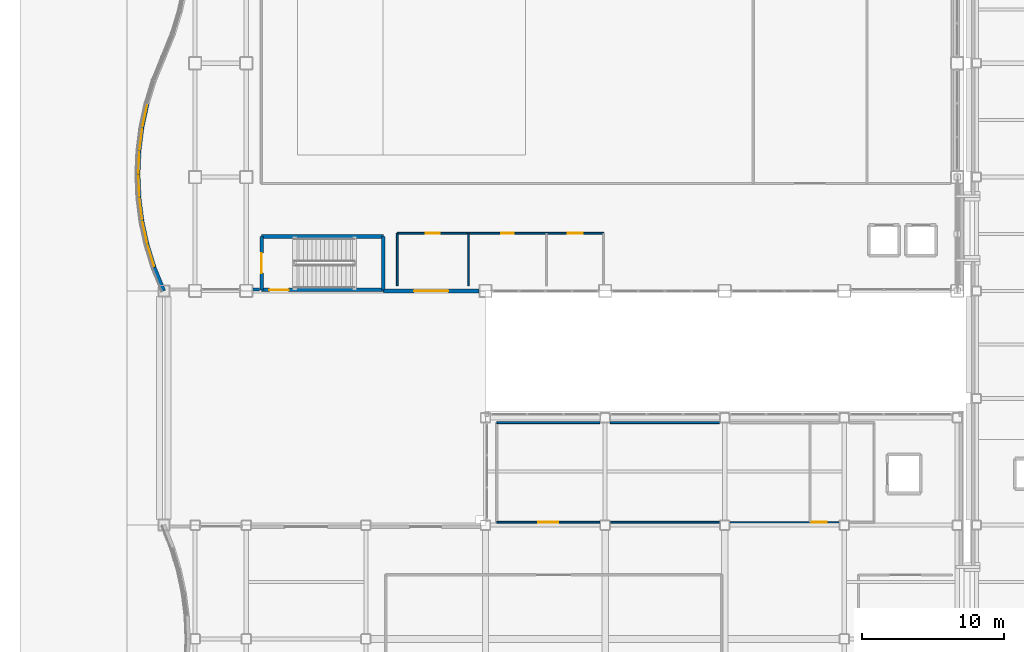
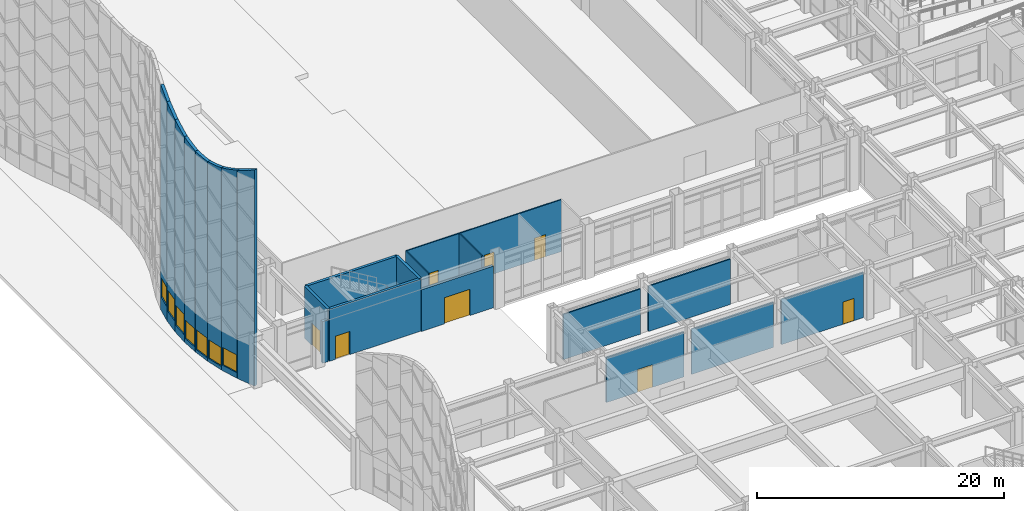
# One storey, part 126 of 165: 22 walls, 8 doors, 7 windows, 15 openings.
"""IFC4 building model written with IfcOpenShell, lengths in metres."""

from ifc_helpers import new_model, si_unit, direction, frame, frame_2d, origin, place, context, subcontext, project, spatial, polyline, rectangle, outline, extrude, material, layer, layer_set, type_object, element, fill, save


model = new_model("IFC4")

# Units and contexts
model_context = context("Model", 3, precision=1e-05, world=origin(), true_north=direction((0.0, 1.0)))
body_context = subcontext(model_context, "Body", "Model", "MODEL_VIEW")
ifc_project = project(units=[si_unit("LENGTHUNIT", "METRE"), si_unit("AREAUNIT", "SQUARE_METRE"), si_unit("VOLUMEUNIT", "CUBIC_METRE"), si_unit("PLANEANGLEUNIT", "RADIAN"), si_unit("MASSUNIT", "GRAM", prefix="KILO")], contexts=[model_context])

# Site, building, storey
site_placement = place(None, origin())
site = spatial("IfcSite", under=ifc_project, at=site_placement, CompositionType="ELEMENT")
building_placement = place(site_placement, origin())
building = spatial("IfcBuilding", under=site, at=building_placement, Name="Kazehara Bluff Congress Hotel", CompositionType="ELEMENT")
storey_placement = place(building_placement, origin())
storey = spatial("IfcBuildingStorey", under=building, at=storey_placement, Name="L00", CompositionType="ELEMENT", Elevation=0.0)

# Wall, opening, door
ifc_material_1 = material(Name="Concrete C40/50", Category="concrete")
ifc_layer_1 = layer(ifc_material_1, 0.25)
ifc_layer_set_1 = layer_set([ifc_layer_1], Name="Concrete C40/50")
wall_type_1 = type_object("IfcWallType", Name="TP-CW-RC", PredefinedType="SHEAR", material=ifc_layer_set_1)
wall_1_placement = place(storey_placement, frame((9.47509765625, 48.52490234375, 0.0), z_axis=(0.0, 0.0, 1.0), x_axis=(0.0, 1.0, 0.0)))
wall_1 = element("IfcWall", 1, at=wall_1_placement, inside=storey, type_object=wall_type_1, Name="L00 ST-03 core wall near", PredefinedType="SHEAR", context=body_context, shape_type="SweptSolid", body=[
    extrude(rectangle(XDim=3.75, YDim=0.25, at=frame_2d((1.875, 0.0))), origin(), (0.0, 0.0, 1.0), 5.14990234375),
])
opening_1_placement = place(wall_1_placement, frame((1.175048828125, 0.0, 0.0)))
opening_1 = element("IfcOpeningElement", 2, at=opening_1_placement, cuts=wall_1, Name="Opening FD-03", PredefinedType="OPENING", context=body_context, shape_type="SweptSolid", body=[
    extrude(rectangle(XDim=1.39990234375, YDim=2.25, at=frame_2d((0.699951171875, 1.125))), frame((0.0, 0.135009765625, 0.0), z_axis=(0.0, -1.0, 0.0), x_axis=(1.0, 0.0, 0.0)), (0.0, 0.0, 1.0), 0.27001953125),
])
ifc_material_2 = material(Name="Fire-rated painted steel leaf", Category="steel")
door_type_1 = type_object("IfcDoorType", Name="TP-FD-03", OperationType="NOTDEFINED", PredefinedType="DOOR", material=ifc_material_2)
door_1_placement = place(opening_1_placement, origin())
door_1 = element("IfcDoor", 3, at=door_1_placement, inside=storey, type_object=door_type_1, Name="L00 ST-03 fire stair door", OperationType="SINGLE_SWING_LEFT", OverallHeight=2.25, OverallWidth=1.39990234375, PredefinedType="DOOR", context=body_context, shape_type="SweptSolid", body=[
    extrude(rectangle(XDim=1.39990234375, YDim=2.25, at=frame_2d((0.699951171875, 1.125))), frame((0.0, 0.02490234375, 0.0), z_axis=(0.0, -1.0, 0.0), x_axis=(1.0, 0.0, 0.0)), (0.0, 0.0, 1.0), 0.050048828125),
])
fill(opening_1, door_1)

# Wall
wall_2_placement = place(storey_placement, frame((18.02490234375, 52.27490234375, 0.0), z_axis=(0.0, 0.0, 1.0), x_axis=(0.0, -1.0, 0.0)))
element("IfcWall", 4, at=wall_2_placement, inside=storey, type_object=wall_type_1, Name="L00 ST-03 core wall far", PredefinedType="SHEAR", context=body_context, shape_type="SweptSolid", body=[
    extrude(rectangle(XDim=3.75, YDim=0.25, at=frame_2d((1.875, 0.0))), origin(), (0.0, 0.0, 1.0), 5.14990234375),
])

# Wall, opening, door
wall_3_placement = place(storey_placement, frame((18.02490234375, 48.52490234375, 0.0), z_axis=(0.0, 0.0, 1.0), x_axis=(-1.0, 0.0, 0.0)))
wall_3 = element("IfcWall", 5, at=wall_3_placement, inside=storey, type_object=wall_type_1, Name="L00 ST-03 core wall left", PredefinedType="SHEAR", context=body_context, shape_type="SweptSolid", body=[
    extrude(rectangle(XDim=8.5498046875, YDim=0.25, at=frame_2d((4.27490234375, 0.0))), origin(), (0.0, 0.0, 1.0), 5.14990234375),
])
opening_2_placement = place(wall_3_placement, frame((6.64990234375, 0.0, 0.0)))
opening_2 = element("IfcOpeningElement", 6, at=opening_2_placement, cuts=wall_3, Name="Opening ED-09", PredefinedType="OPENING", context=body_context, shape_type="SweptSolid", body=[
    extrude(rectangle(XDim=1.35009765625, YDim=2.300048828125, at=frame_2d((0.675048828125, 1.14990234375))), frame((0.0, 0.135009765625, 0.0), z_axis=(0.0, -1.0, 0.0), x_axis=(1.0, 0.0, 0.0)), (0.0, 0.0, 1.0), 0.27001953125),
])
ifc_material_3 = material(Name="Anodised aluminium", Category="aluminium")
door_type_2 = type_object("IfcDoorType", Name="TP-ED-09", OperationType="NOTDEFINED", PredefinedType="DOOR", material=ifc_material_3)
door_2_placement = place(opening_2_placement, origin())
door_2 = element("IfcDoor", 7, at=door_2_placement, inside=storey, type_object=door_type_2, Name="Escape Stair ST-03 final exit discharge door", OperationType="SINGLE_SWING_LEFT", OverallHeight=2.300048828125, OverallWidth=1.35009765625, PredefinedType="DOOR", context=body_context, shape_type="SweptSolid", body=[
    extrude(rectangle(XDim=1.35009765625, YDim=2.300048828125, at=frame_2d((0.675048828125, 1.14990234375))), frame((0.0, 0.02490234375, 0.0), z_axis=(0.0, -1.0, 0.0), x_axis=(1.0, 0.0, 0.0)), (0.0, 0.0, 1.0), 0.050048828125),
])
fill(opening_2, door_2)

# Walls
wall_4_placement = place(storey_placement, frame((9.47509765625, 52.27490234375, 0.0), z_axis=(0.0, 0.0, 1.0), x_axis=(1.0, 0.0, 0.0)))
element("IfcWall", 8, at=wall_4_placement, inside=storey, type_object=wall_type_1, Name="L00 ST-03 core wall right", PredefinedType="SHEAR", context=body_context, shape_type="SweptSolid", body=[
    extrude(rectangle(XDim=8.5498046875, YDim=0.25, at=frame_2d((4.27490234375, 0.0))), origin(), (0.0, 0.0, 1.0), 5.14990234375),
])
ifc_material_4 = material(Name="Precast concrete C40/50", Category="concrete")
ifc_layer_2 = layer(ifc_material_4, 0.239990234375)
ifc_layer_set_2 = layer_set([ifc_layer_2], Name="Precast concrete C40/50")
wall_type_2 = type_object("IfcWallType", Name="TP-EW-240", PredefinedType="SOLIDWALL", material=ifc_layer_set_2)
wall_5_placement = place(storey_placement, frame((9.340087890625, 48.550048828125, 0.0), z_axis=(0.0, 0.0, 1.0), x_axis=(-1.0, 0.0, 0.0)))
element("IfcWall", 9, at=wall_5_placement, inside=storey, type_object=wall_type_2, Name="L00 V1 perimeter spandrel pier 505", PredefinedType="SOLIDWALL", context=body_context, shape_type="SweptSolid", body=[
    extrude(rectangle(XDim=0.489990234375, YDim=0.239990234375, at=frame_2d((0.2451171875, 0.0))), origin(), (0.0, 0.0, 1.0), 4.125),
])

# Wall, opening, door
ifc_material_5 = material(Name="Precast concrete C40/50", Category="concrete")
ifc_layer_3 = layer(ifc_material_5, 0.260009765625)
ifc_layer_set_3 = layer_set([ifc_layer_3], Name="Precast concrete C40/50")
wall_type_3 = type_object("IfcWallType", Name="TP-EW-260", PredefinedType="SOLIDWALL", material=ifc_layer_set_3)
wall_6_placement = place(storey_placement, frame((24.75, 48.449951171875, 0.0), z_axis=(0.0, 0.0, 1.0), x_axis=(-1.0, 0.0, 0.0)))
wall_6 = element("IfcWall", 10, at=wall_6_placement, inside=storey, type_object=wall_type_3, Name="L00 exit host wall EX-V1F", PredefinedType="SOLIDWALL", context=body_context, shape_type="SweptSolid", body=[
    extrude(rectangle(XDim=6.72509765625, YDim=0.260009765625, at=frame_2d((3.362548828125, 0.0))), origin(), (0.0, 0.0, 1.0), 4.125),
])
opening_3_placement = place(wall_6_placement, frame((2.159912109375, 0.0, 0.0)))
opening_3 = element("IfcOpeningElement", 11, at=opening_3_placement, cuts=wall_6, Name="Opening ED-04", PredefinedType="OPENING", context=body_context, shape_type="SweptSolid", body=[
    extrude(rectangle(XDim=2.39990234375, YDim=2.60009765625, at=frame_2d((1.199951171875, 1.300048828125))), frame((0.0, 0.139892578125, 0.0), z_axis=(0.0, -1.0, 0.0), x_axis=(1.0, 0.0, 0.0)), (0.0, 0.0, 1.0), 0.280029296875),
])
ifc_material_6 = material(Name="Anodised aluminium", Category="aluminium")
door_type_3 = type_object("IfcDoorType", Name="TP-ED-04", OperationType="DOUBLE_DOOR_SINGLE_SWING", PredefinedType="DOOR", material=ifc_material_6)
door_3_placement = place(opening_3_placement, origin())
door_3 = element("IfcDoor", 12, at=door_3_placement, inside=storey, type_object=door_type_3, Name="Congress forecourt south exit door", OperationType="DOUBLE_DOOR_SINGLE_SWING", OverallHeight=2.60009765625, OverallWidth=2.39990234375, PredefinedType="DOOR", context=body_context, shape_type="SweptSolid", body=[
    extrude(rectangle(XDim=2.39990234375, YDim=2.60009765625, at=frame_2d((1.199951171875, 1.300048828125))), frame((0.0, 0.02490234375, 0.0), z_axis=(0.0, -1.0, 0.0), x_axis=(1.0, 0.0, 0.0)), (0.0, 0.0, 1.0), 0.050048828125),
])
fill(opening_3, door_3)

# Wall
ifc_material_7 = material(Name="Precast concrete C40/50", Category="concrete")
ifc_layer_4 = layer(ifc_material_7, 0.280029296875)
ifc_layer_set_4 = layer_set([ifc_layer_4], Name="Precast concrete C40/50")
wall_type_4 = type_object("IfcWallType", Name="TP-EW-280", PredefinedType="SOLIDWALL", material=ifc_layer_set_4)
wall_7_placement = place(storey_placement, frame((2.60009765625, 48.449951171875, 0.0), z_axis=(0.0, 0.0, 1.0), x_axis=(-0.378246499761, 0.925704912712, 0.0)))
element("IfcWall", 13, at=wall_7_placement, inside=storey, type_object=wall_type_4, Name="Wave ribbon wall WR-V1 chord 1", PredefinedType="SOLIDWALL", context=body_context, shape_type="SweptSolid", body=[
    extrude(outline(polyline([(0.0, 0.0), (1.771728515625, 0.0), (1.77001953125, 20.60009765625), (1.550048828125, 20.695068359375), (1.330078125, 20.784912109375), (1.10498046875, 20.8798828125), (0.885009765625, 20.97509765625), (0.6650390625, 21.074951171875), (0.43994140625, 21.169921875), (0.219970703125, 21.27001953125), (0.0, 21.364990234375), (0.0, 0.0)])), frame((0.0, 0.14013671875, 0.0), z_axis=(0.0, -1.0, 0.0), x_axis=(1.0, 0.0, 0.0)), (0.0, 0.0, 1.0), 0.280029296875),
])

# Wall, opening, window
wall_8_placement = place(storey_placement, frame((1.929931640625, 50.090087890625, 0.0), z_axis=(0.0, 0.0, 1.0), x_axis=(-0.294245819444, 0.955729772342, 0.0)))
wall_8 = element("IfcWall", 14, at=wall_8_placement, inside=storey, type_object=wall_type_4, Name="Wave ribbon wall WR-V1 chord 2", PredefinedType="SOLIDWALL", context=body_context, shape_type="SweptSolid", body=[
    extrude(outline(polyline([(0.0, 0.0), (1.7158203125, 0.0), (1.715087890625, 20.02001953125), (1.5, 20.074951171875), (1.284912109375, 20.139892578125), (1.070068359375, 20.205078125), (0.860107421875, 20.280029296875), (0.64501953125, 20.35498046875), (0.429931640625, 20.43505859375), (0.215087890625, 20.514892578125), (0.0, 20.60009765625), (0.0, 0.0)])), frame((0.0, 0.14013671875, 0.0), z_axis=(0.0, -1.0, 0.0), x_axis=(1.0, 0.0, 0.0)), (0.0, 0.0, 1.0), 0.280029296875),
])
opening_4_placement = place(wall_8_placement, frame((0.090087890625, 0.0, 0.544921875)))
opening_4 = element("IfcOpeningElement", 15, at=opening_4_placement, cuts=wall_8, Name="Opening WW-02", PredefinedType="OPENING", context=body_context, shape_type="SweptSolid", body=[
    extrude(rectangle(XDim=1.534912109375, YDim=1.75, at=frame_2d((0.767578125, 0.875))), frame((0.0, 0.14990234375, 0.0), z_axis=(0.0, -1.0, 0.0), x_axis=(1.0, 0.0, 0.0)), (0.0, 0.0, 1.0), 0.300048828125),
])
ifc_material_8 = material(Name="Insulated low-E double glazing", Category="glass")
window_type_1 = type_object("IfcWindowType", Name="TP-WW-02", PartitioningType="SINGLE_PANEL", PredefinedType="WINDOW", material=ifc_material_8)
window_1_placement = place(opening_4_placement, origin())
window_1 = element("IfcWindow", 16, at=window_1_placement, inside=storey, type_object=window_type_1, Name="Wave foyer ribbon window WR-V1-02", OverallHeight=1.75, OverallWidth=1.534912109375, PartitioningType="SINGLE_PANEL", PredefinedType="WINDOW", context=body_context, shape_type="SweptSolid", body=[
    extrude(rectangle(XDim=1.534912109375, YDim=1.75, at=frame_2d((0.767578125, 0.875))), frame((0.0, 0.030029296875, 0.0), z_axis=(0.0, -1.0, 0.0), x_axis=(1.0, 0.0, 0.0)), (0.0, 0.0, 1.0), 0.06005859375),
])
fill(opening_4, window_1)

wall_9_placement = place(storey_placement, frame((1.425048828125, 51.72998046875, 0.0), z_axis=(0.0, 0.0, 1.0), x_axis=(-0.212169138818, 0.977232959193, 0.0)))
wall_9 = element("IfcWall", 17, at=wall_9_placement, inside=storey, type_object=wall_type_4, Name="Wave ribbon wall WR-V1 chord 3", PredefinedType="SOLIDWALL", context=body_context, shape_type="SweptSolid", body=[
    extrude(outline(polyline([(0.0, 0.0), (1.673095703125, 0.0), (1.675048828125, 19.760009765625), (1.465087890625, 19.77001953125), (1.2548828125, 19.7900390625), (1.044921875, 19.81494140625), (0.840087890625, 19.844970703125), (0.6298828125, 19.8798828125), (0.419921875, 19.919921875), (0.2099609375, 19.965087890625), (0.0, 20.02001953125), (0.0, 0.0)])), frame((0.0, 0.14013671875, 0.0), z_axis=(0.0, -1.0, 0.0), x_axis=(1.0, 0.0, 0.0)), (0.0, 0.0, 1.0), 0.280029296875),
])
opening_5_placement = place(wall_9_placement, frame((0.090087890625, 0.0, 0.344970703125)))
opening_5 = element("IfcOpeningElement", 18, at=opening_5_placement, cuts=wall_9, Name="Opening WW-03", PredefinedType="OPENING", context=body_context, shape_type="SweptSolid", body=[
    extrude(rectangle(XDim=1.4951171875, YDim=1.85009765625, at=frame_2d((0.74755859375, 0.925048828125))), frame((0.0, 0.14990234375, 0.0), z_axis=(0.0, -1.0, 0.0), x_axis=(1.0, 0.0, 0.0)), (0.0, 0.0, 1.0), 0.300048828125),
])
ifc_material_9 = material(Name="Insulated low-E double glazing", Category="glass")
window_type_2 = type_object("IfcWindowType", Name="TP-WW-03", PartitioningType="SINGLE_PANEL", PredefinedType="WINDOW", material=ifc_material_9)
window_2_placement = place(opening_5_placement, origin())
window_2 = element("IfcWindow", 19, at=window_2_placement, inside=storey, type_object=window_type_2, Name="Wave foyer ribbon window WR-V1-03", OverallHeight=1.85009765625, OverallWidth=1.4951171875, PartitioningType="SINGLE_PANEL", PredefinedType="WINDOW", context=body_context, shape_type="SweptSolid", body=[
    extrude(rectangle(XDim=1.4951171875, YDim=1.85009765625, at=frame_2d((0.74755859375, 0.925048828125))), frame((0.0, 0.030029296875, 0.0), z_axis=(0.0, -1.0, 0.0), x_axis=(1.0, 0.0, 0.0)), (0.0, 0.0, 1.0), 0.06005859375),
])
fill(opening_5, window_2)

wall_10_placement = place(storey_placement, frame((1.070068359375, 53.364990234375, 0.0), z_axis=(0.0, 0.0, 1.0), x_axis=(-0.12408927914, 0.992271057122, 0.0)))
wall_10 = element("IfcWall", 20, at=wall_10_placement, inside=storey, type_object=wall_type_4, Name="Wave ribbon wall WR-V1 chord 4", PredefinedType="SOLIDWALL", context=body_context, shape_type="SweptSolid", body=[
    extrude(outline(polyline([(0.0, 0.0), (1.652587890625, 0.0), (1.655029296875, 19.8701171875), (1.449951171875, 19.8349609375), (1.239990234375, 19.804931640625), (1.034912109375, 19.784912109375), (0.830078125, 19.764892578125), (0.6201171875, 19.7548828125), (0.4150390625, 19.75), (0.205078125, 19.75), (0.0, 19.760009765625), (0.0, 0.0)])), frame((0.0, 0.14013671875, 0.0), z_axis=(0.0, -1.0, 0.0), x_axis=(1.0, 0.0, 0.0)), (0.0, 0.0, 1.0), 0.280029296875),
])
opening_6_placement = place(wall_10_placement, frame((0.090087890625, 0.0, 0.31005859375)))
opening_6 = element("IfcOpeningElement", 21, at=opening_6_placement, cuts=wall_10, Name="Opening WW-04", PredefinedType="OPENING", context=body_context, shape_type="SweptSolid", body=[
    extrude(rectangle(XDim=1.47509765625, YDim=1.949951171875, at=frame_2d((0.737548828125, 0.97509765625))), frame((0.0, 0.14990234375, 0.0), z_axis=(0.0, -1.0, 0.0), x_axis=(1.0, 0.0, 0.0)), (0.0, 0.0, 1.0), 0.300048828125),
])
ifc_material_10 = material(Name="Insulated low-E double glazing", Category="glass")
window_type_3 = type_object("IfcWindowType", Name="TP-WW-04", PartitioningType="SINGLE_PANEL", PredefinedType="WINDOW", material=ifc_material_10)
window_3_placement = place(opening_6_placement, origin())
window_3 = element("IfcWindow", 22, at=window_3_placement, inside=storey, type_object=window_type_3, Name="Wave foyer ribbon window WR-V1-04", OverallHeight=1.949951171875, OverallWidth=1.47509765625, PartitioningType="SINGLE_PANEL", PredefinedType="WINDOW", context=body_context, shape_type="SweptSolid", body=[
    extrude(rectangle(XDim=1.47509765625, YDim=1.949951171875, at=frame_2d((0.737548828125, 0.97509765625))), frame((0.0, 0.030029296875, 0.0), z_axis=(0.0, -1.0, 0.0), x_axis=(1.0, 0.0, 0.0)), (0.0, 0.0, 1.0), 0.06005859375),
])
fill(opening_6, window_3)

wall_11_placement = place(storey_placement, frame((0.864990234375, 55.0048828125, 0.0), z_axis=(0.0, 0.0, 1.0), x_axis=(-0.042682116378, 0.99908870324, 0.0)))
wall_11 = element("IfcWall", 23, at=wall_11_placement, inside=storey, type_object=wall_type_4, Name="Wave ribbon wall WR-V1 chord 5", PredefinedType="SOLIDWALL", context=body_context, shape_type="SweptSolid", body=[
    extrude(outline(polyline([(0.0, 0.0), (1.6416015625, 0.0), (1.639892578125, 20.31494140625), (1.43505859375, 20.2451171875), (1.22998046875, 20.175048828125), (1.02490234375, 20.114990234375), (0.820068359375, 20.054931640625), (0.614990234375, 20.0), (0.409912109375, 19.955078125), (0.205078125, 19.909912109375), (0.0, 19.8701171875), (0.0, 0.0)])), frame((0.0, 0.14013671875, 0.0), z_axis=(0.0, -1.0, 0.0), x_axis=(1.0, 0.0, 0.0)), (0.0, 0.0, 1.0), 0.280029296875),
])
opening_7_placement = place(wall_11_placement, frame((0.090087890625, 0.0, 0.43994140625)))
opening_7 = element("IfcOpeningElement", 24, at=opening_7_placement, cuts=wall_11, Name="Opening WW-05", PredefinedType="OPENING", context=body_context, shape_type="SweptSolid", body=[
    extrude(rectangle(XDim=1.4599609375, YDim=1.800048828125, at=frame_2d((0.72998046875, 0.89990234375))), frame((0.0, 0.14990234375, 0.0), z_axis=(0.0, -1.0, 0.0), x_axis=(1.0, 0.0, 0.0)), (0.0, 0.0, 1.0), 0.300048828125),
])
ifc_material_11 = material(Name="Insulated low-E double glazing", Category="glass")
window_type_4 = type_object("IfcWindowType", Name="TP-WW-05", PartitioningType="DOUBLE_PANEL_VERTICAL", PredefinedType="WINDOW", material=ifc_material_11)
window_4_placement = place(opening_7_placement, origin())
window_4 = element("IfcWindow", 25, at=window_4_placement, inside=storey, type_object=window_type_4, Name="Wave foyer ribbon window WR-V1-05", OverallHeight=1.800048828125, OverallWidth=1.4599609375, PartitioningType="SINGLE_PANEL", PredefinedType="WINDOW", context=body_context, shape_type="SweptSolid", body=[
    extrude(rectangle(XDim=1.4599609375, YDim=1.800048828125, at=frame_2d((0.72998046875, 0.89990234375))), frame((0.0, 0.030029296875, 0.0), z_axis=(0.0, -1.0, 0.0), x_axis=(1.0, 0.0, 0.0)), (0.0, 0.0, 1.0), 0.06005859375),
])
fill(opening_7, window_4)

wall_12_placement = place(storey_placement, frame((0.794921875, 56.64501953125, 0.0), z_axis=(0.0, 0.0, 1.0), x_axis=(0.042815711104, 0.999082986985, 0.0)))
wall_12 = element("IfcWall", 26, at=wall_12_placement, inside=storey, type_object=wall_type_4, Name="Wave ribbon wall WR-V1 chord 6", PredefinedType="SOLIDWALL", context=body_context, shape_type="SweptSolid", body=[
    extrude(outline(polyline([(0.0, 0.0), (1.636474609375, 0.0), (1.635009765625, 20.97509765625), (1.429931640625, 20.885009765625), (1.22509765625, 20.800048828125), (1.02001953125, 20.7099609375), (0.820068359375, 20.625), (0.614990234375, 20.544921875), (0.409912109375, 20.465087890625), (0.205078125, 20.389892578125), (0.0, 20.31494140625), (0.0, 0.0)])), frame((0.0, 0.14013671875, 0.0), z_axis=(0.0, -1.0, 0.0), x_axis=(1.0, 0.0, 0.0)), (0.0, 0.0, 1.0), 0.280029296875),
])
opening_8_placement = place(wall_12_placement, frame((0.090087890625, 0.0, 0.705078125)))
opening_8 = element("IfcOpeningElement", 27, at=opening_8_placement, cuts=wall_12, Name="Opening WW-06", PredefinedType="OPENING", context=body_context, shape_type="SweptSolid", body=[
    extrude(rectangle(XDim=1.455078125, YDim=2.0, at=frame_2d((0.7275390625, 1.0))), frame((0.0, 0.14990234375, 0.0), z_axis=(0.0, -1.0, 0.0), x_axis=(1.0, 0.0, 0.0)), (0.0, 0.0, 1.0), 0.300048828125),
])
ifc_material_12 = material(Name="Insulated low-E double glazing", Category="glass")
window_type_5 = type_object("IfcWindowType", Name="TP-WW-06", PartitioningType="DOUBLE_PANEL_VERTICAL", PredefinedType="WINDOW", material=ifc_material_12)
window_5_placement = place(opening_8_placement, origin())
window_5 = element("IfcWindow", 28, at=window_5_placement, inside=storey, type_object=window_type_5, Name="Wave foyer ribbon window WR-V1-06", OverallHeight=2.0, OverallWidth=1.455078125, PartitioningType="SINGLE_PANEL", PredefinedType="WINDOW", context=body_context, shape_type="SweptSolid", body=[
    extrude(rectangle(XDim=1.455078125, YDim=2.0, at=frame_2d((0.7275390625, 1.0))), frame((0.0, 0.030029296875, 0.0), z_axis=(0.0, -1.0, 0.0), x_axis=(1.0, 0.0, 0.0)), (0.0, 0.0, 1.0), 0.06005859375),
])
fill(opening_8, window_5)

wall_13_placement = place(storey_placement, frame((0.864990234375, 58.280029296875, 0.0), z_axis=(0.0, 0.0, 1.0), x_axis=(0.12408927914, 0.992271057122, 0.0)))
wall_13 = element("IfcWall", 29, at=wall_13_placement, inside=storey, type_object=wall_type_4, Name="Wave ribbon wall WR-V1 chord 7", PredefinedType="SOLIDWALL", context=body_context, shape_type="SweptSolid", body=[
    extrude(outline(polyline([(0.0, 0.0), (1.652587890625, 0.0), (1.655029296875, 21.68994140625), (1.449951171875, 21.60498046875), (1.239990234375, 21.514892578125), (1.034912109375, 21.425048828125), (0.830078125, 21.3349609375), (0.6201171875, 21.2451171875), (0.4150390625, 21.155029296875), (0.205078125, 21.06494140625), (0.0, 20.97509765625), (0.0, 0.0)])), frame((0.0, 0.14013671875, 0.0), z_axis=(0.0, -1.0, 0.0), x_axis=(1.0, 0.0, 0.0)), (0.0, 0.0, 1.0), 0.280029296875),
])
opening_9_placement = place(wall_13_placement, frame((0.090087890625, 0.0, 1.034912109375)))
opening_9 = element("IfcOpeningElement", 30, at=opening_9_placement, cuts=wall_13, Name="Opening WW-07", PredefinedType="OPENING", context=body_context, shape_type="SweptSolid", body=[
    extrude(rectangle(XDim=1.47509765625, YDim=2.10009765625, at=frame_2d((0.737548828125, 1.050048828125))), frame((0.0, 0.14990234375, 0.0), z_axis=(0.0, -1.0, 0.0), x_axis=(1.0, 0.0, 0.0)), (0.0, 0.0, 1.0), 0.300048828125),
])
ifc_material_13 = material(Name="Insulated low-E double glazing", Category="glass")
window_type_6 = type_object("IfcWindowType", Name="TP-WW-07", PartitioningType="DOUBLE_PANEL_VERTICAL", PredefinedType="WINDOW", material=ifc_material_13)
window_6_placement = place(opening_9_placement, origin())
window_6 = element("IfcWindow", 31, at=window_6_placement, inside=storey, type_object=window_type_6, Name="Wave foyer ribbon window WR-V1-07", OverallHeight=2.10009765625, OverallWidth=1.47509765625, PartitioningType="SINGLE_PANEL", PredefinedType="WINDOW", context=body_context, shape_type="SweptSolid", body=[
    extrude(rectangle(XDim=1.47509765625, YDim=2.10009765625, at=frame_2d((0.737548828125, 1.050048828125))), frame((0.0, 0.030029296875, 0.0), z_axis=(0.0, -1.0, 0.0), x_axis=(1.0, 0.0, 0.0)), (0.0, 0.0, 1.0), 0.06005859375),
])
fill(opening_9, window_6)

wall_14_placement = place(storey_placement, frame((1.070068359375, 59.919921875, 0.0), z_axis=(0.0, 0.0, 1.0), x_axis=(0.2115356349, 0.977370285597, 0.0)))
wall_14 = element("IfcWall", 32, at=wall_14_placement, inside=storey, type_object=wall_type_4, Name="Wave ribbon wall WR-V1 chord 8", PredefinedType="SOLIDWALL", context=body_context, shape_type="SweptSolid", body=[
    extrude(outline(polyline([(0.0, 0.0), (1.67822265625, 0.0), (1.679931640625, 22.264892578125), (1.469970703125, 22.205078125), (1.260009765625, 22.14501953125), (1.050048828125, 22.074951171875), (0.840087890625, 22.0048828125), (0.6298828125, 21.929931640625), (0.419921875, 21.85498046875), (0.2099609375, 21.77001953125), (0.0, 21.68994140625), (0.0, 0.0)])), frame((0.0, 0.14013671875, 0.0), z_axis=(0.0, -1.0, 0.0), x_axis=(1.0, 0.0, 0.0)), (0.0, 0.0, 1.0), 0.280029296875),
])
opening_10_placement = place(wall_14_placement, frame((0.090087890625, 0.0, 1.35009765625)))
opening_10 = element("IfcOpeningElement", 33, at=opening_10_placement, cuts=wall_14, Name="Opening WW-08", PredefinedType="OPENING", context=body_context, shape_type="SweptSolid", body=[
    extrude(rectangle(XDim=1.5, YDim=1.89990234375, at=frame_2d((0.75, 0.949951171875))), frame((0.0, 0.14990234375, 0.0), z_axis=(0.0, -1.0, 0.0), x_axis=(1.0, 0.0, 0.0)), (0.0, 0.0, 1.0), 0.300048828125),
])
ifc_material_14 = material(Name="Insulated low-E double glazing", Category="glass")
window_type_7 = type_object("IfcWindowType", Name="TP-WW-08", PartitioningType="SINGLE_PANEL", PredefinedType="WINDOW", material=ifc_material_14)
window_7_placement = place(opening_10_placement, origin())
window_7 = element("IfcWindow", 34, at=window_7_placement, inside=storey, type_object=window_type_7, Name="Wave foyer ribbon window WR-V1-08", OverallHeight=1.89990234375, OverallWidth=1.5, PartitioningType="SINGLE_PANEL", PredefinedType="WINDOW", context=body_context, shape_type="SweptSolid", body=[
    extrude(rectangle(XDim=1.5, YDim=1.89990234375, at=frame_2d((0.75, 0.949951171875))), frame((0.0, 0.030029296875, 0.0), z_axis=(0.0, -1.0, 0.0), x_axis=(1.0, 0.0, 0.0)), (0.0, 0.0, 1.0), 0.06005859375),
])
fill(opening_10, window_7)

# Wall, openings, doors
ifc_material_15 = material(Name="Fire-rated gypsum board stud partition")
ifc_layer_5 = layer(ifc_material_15, 0.110107421875)
ifc_layer_set_5 = layer_set([ifc_layer_5], Name="Fire-rated gypsum board stud partition")
wall_type_5 = type_object("IfcWallType", Name="TP-PT-110", PredefinedType="PARTITIONING", material=ifc_layer_set_5)
wall_15_placement = place(storey_placement, frame((19.0, 52.5, 0.0), z_axis=(0.0, 0.0, 1.0), x_axis=(1.0, 0.0, 0.0)))
wall_15 = element("IfcWall", 35, at=wall_15_placement, inside=storey, type_object=wall_type_5, Name="L00 partition PT-110 81", PredefinedType="PARTITIONING", context=body_context, shape_type="SweptSolid", body=[
    extrude(rectangle(XDim=14.5, YDim=0.110107421875, at=frame_2d((7.25, 0.0))), origin(), (0.0, 0.0, 1.0), 5.135009765625),
])
opening_11_placement = place(wall_15_placement, frame((2.0, 0.0, 0.0)))
opening_11 = element("IfcOpeningElement", 36, at=opening_11_placement, cuts=wall_15, Name="Opening ID-03", PredefinedType="OPENING", context=body_context, shape_type="SweptSolid", body=[
    extrude(rectangle(XDim=1.0, YDim=2.179931640625, at=frame_2d((0.5, 1.08984375))), frame((0.0, 0.06494140625, 0.0), z_axis=(0.0, -1.0, 0.0), x_axis=(1.0, 0.0, 0.0)), (0.0, 0.0, 1.0), 0.130126953125),
])
opening_12_placement = place(wall_15_placement, frame((7.300048828125, 0.0, 0.0)))
opening_12 = element("IfcOpeningElement", 37, at=opening_12_placement, cuts=wall_15, Name="Opening ID-01", PredefinedType="OPENING", context=body_context, shape_type="SweptSolid", body=[
    extrude(rectangle(XDim=0.89990234375, YDim=2.14990234375, at=frame_2d((0.449951171875, 1.074951171875))), frame((0.0, 0.06494140625, 0.0), z_axis=(0.0, -1.0, 0.0), x_axis=(1.0, 0.0, 0.0)), (0.0, 0.0, 1.0), 0.130126953125),
])
opening_13_placement = place(wall_15_placement, frame((11.97509765625, 0.0, 0.0)))
opening_13 = element("IfcOpeningElement", 38, at=opening_13_placement, cuts=wall_15, Name="Opening ID-02", PredefinedType="OPENING", context=body_context, shape_type="SweptSolid", body=[
    extrude(rectangle(XDim=1.050048828125, YDim=2.199951171875, at=frame_2d((0.52490234375, 1.10009765625))), frame((0.0, 0.06494140625, 0.0), z_axis=(0.0, -1.0, 0.0), x_axis=(1.0, 0.0, 0.0)), (0.0, 0.0, 1.0), 0.130126953125),
])
ifc_material_16 = material(Name="Architectural oak veneer leaf")
door_type_4 = type_object("IfcDoorType", Name="TP-ID-01", OperationType="NOTDEFINED", PredefinedType="DOOR", material=ifc_material_16)
door_4_placement = place(opening_12_placement, origin())
door_4 = element("IfcDoor", 39, at=door_4_placement, inside=storey, type_object=door_type_4, Name="L00 Congress Lower Female WC door", OperationType="SINGLE_SWING_RIGHT", OverallHeight=2.14990234375, OverallWidth=0.89990234375, PredefinedType="DOOR", context=body_context, shape_type="SweptSolid", body=[
    extrude(rectangle(XDim=0.89990234375, YDim=2.14990234375, at=frame_2d((0.449951171875, 1.074951171875))), frame((0.0, 0.02490234375, 0.0), z_axis=(0.0, -1.0, 0.0), x_axis=(1.0, 0.0, 0.0)), (0.0, 0.0, 1.0), 0.050048828125),
])
fill(opening_12, door_4)
ifc_material_17 = material(Name="Architectural oak veneer leaf")
door_type_5 = type_object("IfcDoorType", Name="TP-ID-02", OperationType="NOTDEFINED", PredefinedType="DOOR", material=ifc_material_17)
door_5_placement = place(opening_13_placement, origin())
door_5 = element("IfcDoor", 40, at=door_5_placement, inside=storey, type_object=door_type_5, Name="L00 Congress Lower Accessible WC door", OperationType="SINGLE_SWING_LEFT", OverallHeight=2.199951171875, OverallWidth=1.050048828125, PredefinedType="DOOR", context=body_context, shape_type="SweptSolid", body=[
    extrude(rectangle(XDim=1.050048828125, YDim=2.199951171875, at=frame_2d((0.52490234375, 1.10009765625))), frame((0.0, 0.02490234375, 0.0), z_axis=(0.0, -1.0, 0.0), x_axis=(1.0, 0.0, 0.0)), (0.0, 0.0, 1.0), 0.050048828125),
])
fill(opening_13, door_5)
ifc_material_18 = material(Name="Architectural oak veneer leaf")
door_type_6 = type_object("IfcDoorType", Name="TP-ID-03", OperationType="NOTDEFINED", PredefinedType="DOOR", material=ifc_material_18)
door_6_placement = place(opening_11_placement, origin())
door_6 = element("IfcDoor", 41, at=door_6_placement, inside=storey, type_object=door_type_6, Name="L00 Congress Lower Male WC door", OperationType="SINGLE_SWING_LEFT", OverallHeight=2.179931640625, OverallWidth=1.0, PredefinedType="DOOR", context=body_context, shape_type="SweptSolid", body=[
    extrude(rectangle(XDim=1.0, YDim=2.179931640625, at=frame_2d((0.5, 1.08984375))), frame((0.0, 0.02490234375, 0.0), z_axis=(0.0, -1.0, 0.0), x_axis=(1.0, 0.0, 0.0)), (0.0, 0.0, 1.0), 0.050048828125),
])
fill(opening_11, door_6)

# Walls
for number, where, z_axis, x_axis, name in (
    (42, (19.0, 48.800048828125, 0.0), (0.0, 0.0, 1.0), (0.0, 1.0, 0.0), "L00 partition PT-110 95"),
    (43, (24.0, 48.800048828125, 0.0), (0.0, 0.0, 1.0), (0.0, 1.0, 0.0), "L00 partition PT-110 96"),
):
    element("IfcWall", number, at=place(storey_placement, frame(where, z_axis=z_axis, x_axis=x_axis)), inside=storey, type_object=wall_type_5, Name=name, PredefinedType="PARTITIONING", context=body_context, shape_type="SweptSolid", body=[
        extrude(rectangle(XDim=3.699951171875, YDim=0.110107421875, at=frame_2d((1.85009765625, 0.0))), origin(), (0.0, 0.0, 1.0), 5.135009765625),
    ])

# Wall, opening, door
ifc_material_19 = material(Name="Fire-rated gypsum board stud partition")
ifc_layer_6 = layer(ifc_material_19, 0.1298828125)
ifc_layer_set_6 = layer_set([ifc_layer_6], Name="Fire-rated gypsum board stud partition")
wall_type_6 = type_object("IfcWallType", Name="TP-PT-130", PredefinedType="PARTITIONING", material=ifc_layer_set_6)
wall_16_placement = place(storey_placement, frame((26.0, 32.199951171875, 0.0), z_axis=(0.0, 0.0, 1.0), x_axis=(1.0, 0.0, 0.0)))
wall_16 = element("IfcWall", 44, at=wall_16_placement, inside=storey, type_object=wall_type_6, Name="L00 partition PT-130 67", PredefinedType="PARTITIONING", context=body_context, shape_type="SweptSolid", body=[
    extrude(rectangle(XDim=7.22998046875, YDim=0.1298828125, at=frame_2d((3.614990234375, 0.0))), origin(), (0.0, 0.0, 1.0), 4.47509765625),
])
opening_14_placement = place(wall_16_placement, frame((2.9150390625, 0.0, 0.0)))
opening_14 = element("IfcOpeningElement", 45, at=opening_14_placement, cuts=wall_16, Name="Opening FD-03", PredefinedType="OPENING", context=body_context, shape_type="SweptSolid", body=[
    extrude(rectangle(XDim=1.39990234375, YDim=2.25, at=frame_2d((0.699951171875, 1.125))), frame((0.0, 0.074951171875, 0.0), z_axis=(0.0, -1.0, 0.0), x_axis=(1.0, 0.0, 0.0)), (0.0, 0.0, 1.0), 0.14990234375),
])
door_7_placement = place(opening_14_placement, origin())
door_7 = element("IfcDoor", 46, at=door_7_placement, inside=storey, type_object=door_type_1, Name="L00 Ballroom Banquet Service Pantry door", OperationType="SINGLE_SWING_RIGHT", OverallHeight=2.25, OverallWidth=1.39990234375, PredefinedType="DOOR", context=body_context, shape_type="SweptSolid", body=[
    extrude(rectangle(XDim=1.39990234375, YDim=2.25, at=frame_2d((0.699951171875, 1.125))), frame((0.0, 0.02490234375, 0.0), z_axis=(0.0, -1.0, 0.0), x_axis=(1.0, 0.0, 0.0)), (0.0, 0.0, 1.0), 0.050048828125),
])
fill(opening_14, door_7)

# Wall
wall_17_placement = place(storey_placement, frame((33.969970703125, 32.199951171875, 0.0), z_axis=(0.0, 0.0, 1.0), x_axis=(1.0, 0.0, 0.0)))
element("IfcWall", 47, at=wall_17_placement, inside=storey, type_object=wall_type_6, Name="L00 partition PT-130 68", PredefinedType="PARTITIONING", context=body_context, shape_type="SweptSolid", body=[
    extrude(rectangle(XDim=7.659912109375, YDim=0.1298828125, at=frame_2d((3.830078125, 0.0))), origin(), (0.0, 0.0, 1.0), 4.47509765625),
])

# Wall, opening, door
wall_18_placement = place(storey_placement, frame((42.3701171875, 32.199951171875, 0.0), z_axis=(0.0, 0.0, 1.0), x_axis=(1.0, 0.0, 0.0)))
wall_18 = element("IfcWall", 48, at=wall_18_placement, inside=storey, type_object=wall_type_6, Name="L00 partition PT-130 69", PredefinedType="PARTITIONING", context=body_context, shape_type="SweptSolid", body=[
    extrude(rectangle(XDim=7.659912109375, YDim=0.1298828125, at=frame_2d((3.830078125, 0.0))), origin(), (0.0, 0.0, 1.0), 4.47509765625),
])
opening_15_placement = place(wall_18_placement, frame((5.75, 0.0, 0.0)))
opening_15 = element("IfcOpeningElement", 49, at=opening_15_placement, cuts=wall_18, Name="Opening ID-02", PredefinedType="OPENING", context=body_context, shape_type="SweptSolid", body=[
    extrude(rectangle(XDim=1.050048828125, YDim=2.199951171875, at=frame_2d((0.52490234375, 1.10009765625))), frame((0.0, 0.074951171875, 0.0), z_axis=(0.0, -1.0, 0.0), x_axis=(1.0, 0.0, 0.0)), (0.0, 0.0, 1.0), 0.14990234375),
])
door_8_placement = place(opening_15_placement, origin())
door_8 = element("IfcDoor", 50, at=door_8_placement, inside=storey, type_object=door_type_5, Name="L00 Ballroom Accessible WC door", OperationType="SINGLE_SWING_LEFT", OverallHeight=2.199951171875, OverallWidth=1.050048828125, PredefinedType="DOOR", context=body_context, shape_type="SweptSolid", body=[
    extrude(rectangle(XDim=1.050048828125, YDim=2.199951171875, at=frame_2d((0.52490234375, 1.10009765625))), frame((0.0, 0.02490234375, 0.0), z_axis=(0.0, -1.0, 0.0), x_axis=(1.0, 0.0, 0.0)), (0.0, 0.0, 1.0), 0.050048828125),
])
fill(opening_15, door_8)

# Walls
wall_19_placement = place(storey_placement, frame((26.0, 39.199951171875, 0.0), z_axis=(0.0, 0.0, 1.0), x_axis=(1.0, 0.0, 0.0)))
element("IfcWall", 51, at=wall_19_placement, inside=storey, type_object=wall_type_6, Name="L00 partition PT-130 73", PredefinedType="PARTITIONING", context=body_context, shape_type="SweptSolid", body=[
    extrude(rectangle(XDim=7.22998046875, YDim=0.1298828125, at=frame_2d((3.614990234375, 0.0))), origin(), (0.0, 0.0, 1.0), 4.47509765625),
])
wall_20_placement = place(storey_placement, frame((33.969970703125, 39.199951171875, 0.0), z_axis=(0.0, 0.0, 1.0), x_axis=(1.0, 0.0, 0.0)))
element("IfcWall", 52, at=wall_20_placement, inside=storey, type_object=wall_type_6, Name="L00 partition PT-130 74", PredefinedType="PARTITIONING", context=body_context, shape_type="SweptSolid", body=[
    extrude(rectangle(XDim=7.659912109375, YDim=0.1298828125, at=frame_2d((3.830078125, 0.0))), origin(), (0.0, 0.0, 1.0), 4.47509765625),
])

save(model, "model.ifc")
